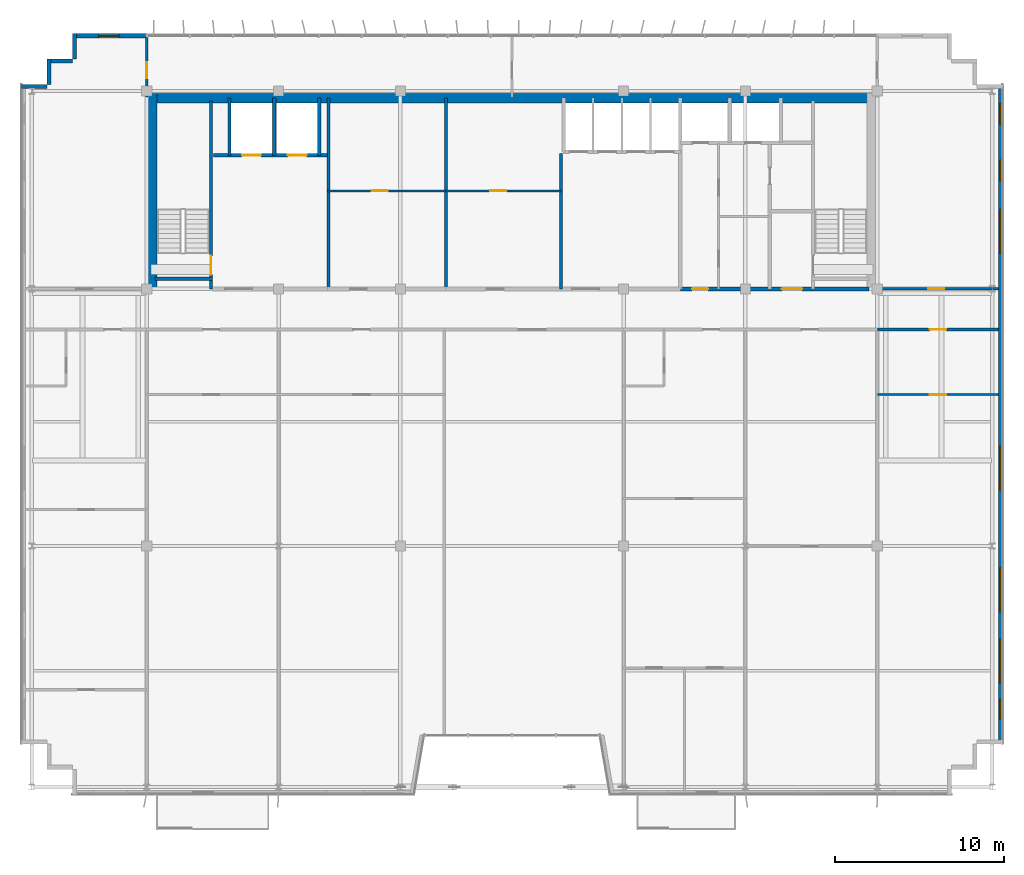
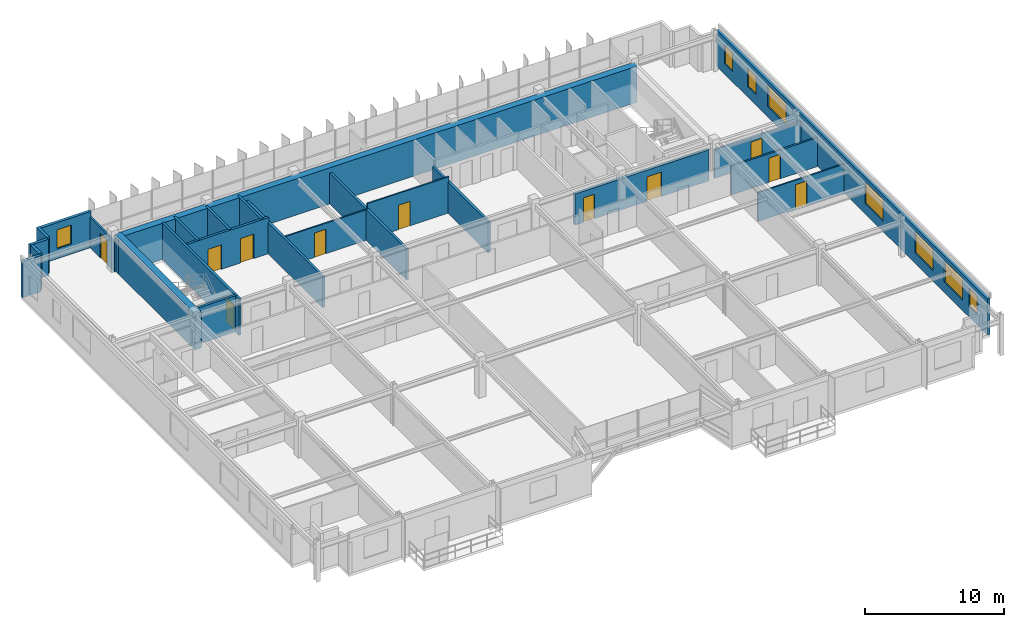
# One storey, part 23 of 26: 24 walls, 11 doors, 8 windows, 19 openings.
"""IFC4 building model written with IfcOpenShell, lengths in metres."""

from ifc_helpers import new_model, si_unit, direction, frame, frame_2d, origin, place, context, subcontext, project, spatial, rectangle, extrude, source, transform, mapped, material, layer, layer_set, type_object, element, fill, save


model = new_model("IFC4")

# Units and contexts
model_context = context("Model", 3, precision=1e-05, world=origin(), true_north=direction((0.0, 1.0)))
body_context = subcontext(model_context, "Body", "Model", "MODEL_VIEW")
ifc_project = project(units=[si_unit("LENGTHUNIT", "METRE"), si_unit("AREAUNIT", "SQUARE_METRE"), si_unit("VOLUMEUNIT", "CUBIC_METRE"), si_unit("PLANEANGLEUNIT", "RADIAN"), si_unit("MASSUNIT", "GRAM", prefix="KILO")], contexts=[model_context])

# Site, building, storey
site_placement = place(None, origin())
site = spatial("IfcSite", under=ifc_project, at=site_placement, CompositionType="ELEMENT")
building_placement = place(site_placement, origin())
building = spatial("IfcBuilding", under=site, at=building_placement, Name="Trelvane Seafront Commons", CompositionType="ELEMENT")
storey_placement = place(building_placement, frame((0.0, 0.0, 291.89990234375)))
storey = spatial("IfcBuildingStorey", under=building, at=storey_placement, Name="L76", CompositionType="ELEMENT", Elevation=291.89990234375)

# Wall, opening, window
ifc_material_1 = material(Name="Precast concrete C40/50", Category="concrete")
ifc_layer_1 = layer(ifc_material_1, 0.239990234375, Name="ARCH-WALL-EXT240")
ifc_layer_set_1 = layer_set([ifc_layer_1], Name="Precast concrete C40/50")
wall_type_1 = type_object("IfcWallType", Name="ARCH-WALL-EXT240", PredefinedType="SOLIDWALL", material=ifc_layer_set_1)
wall_1_placement = place(storey_placement, frame((11.300048828125, 48.3701171875, 0.0), z_axis=(0.0, 0.0, 1.0), x_axis=(1.0, 0.0, 0.0)))
wall_1 = element("IfcWall", 1, at=wall_1_placement, inside=storey, type_object=wall_type_1, Name="EW-L76-NW-1533", PredefinedType="SOLIDWALL", context=body_context, shape_type="SweptSolid", body=[
    extrude(rectangle(XDim=4.300048828125, YDim=0.239990234375, at=frame_2d((2.14990234375, 0.0))), origin(), (0.0, 0.0, 1.0), 3.18017578125),
])
opening_1_placement = place(wall_1_placement, frame((1.4599609375, 0.0, 0.89990234375)))
opening_1 = element("IfcOpeningElement", 2, at=opening_1_placement, cuts=wall_1, Name="Opening W05", PredefinedType="OPENING", context=body_context, shape_type="SweptSolid", body=[
    extrude(rectangle(XDim=1.199951171875, YDim=1.64990234375, at=frame_2d((0.60009765625, 0.824951171875))), frame((0.0, 0.1298828125, 0.0), z_axis=(0.0, -1.0, 0.0), x_axis=(1.0, 0.0, 0.0)), (0.0, 0.0, 1.0), 0.260009765625),
])
ifc_material_2 = material(Name="Low-E coastal double glazing", Category="glass")
window_type_1 = type_object("IfcWindowType", Name="ARCH-WIN-W05", PartitioningType="SINGLE_PANEL", PredefinedType="WINDOW", material=ifc_material_2)
shared_shape_1 = source(origin(), body_context, "Body", "SweptSolid", [
    extrude(rectangle(XDim=1.199951171875, YDim=1.64990234375, at=frame_2d((0.60009765625, 0.824951171875))), frame((0.0, 0.030029296875, 0.0), z_axis=(0.0, -1.0, 0.0), x_axis=(1.0, 0.0, 0.0)), (0.0, 0.0, 1.0), 0.06005859375),
])
window_1_placement = place(opening_1_placement, origin())
window_1 = element("IfcWindow", 3, at=window_1_placement, inside=storey, type_object=window_type_1, Name="WIN-L76-01817", OverallHeight=1.64990234375, OverallWidth=1.199951171875, PartitioningType="SINGLE_PANEL", PredefinedType="WINDOW", context=body_context, shape_type="MappedRepresentation", body=[
    mapped(shared_shape_1, transform((0.0, 0.0, 0.0), x_axis=(1.0, 0.0, 0.0), y_axis=(0.0, 1.0, 0.0), z_axis=(0.0, 0.0, 1.0), scale=1.0)),
])
fill(opening_1, window_1)

# Walls
for number, where, z_axis, x_axis, name in (
    (4, (8.199951171875, 45.3798828125, 0.0), (0.0, 0.0, 1.0), (1.0, 0.0, 0.0), "EW-L76-01539"),
    (5, (9.820068359375, 45.5, 0.0), (0.0, 0.0, 1.0), (0.0, 1.0, 0.0), "EW-L76-01540"),
    (6, (9.699951171875, 46.8798828125, 0.0), (0.0, 0.0, 1.0), (1.0, 0.0, 0.0), "EW-L76-01541"),
    (7, (11.320068359375, 47.0, 0.0), (0.0, 0.0, 1.0), (0.0, 1.0, 0.0), "EW-L76-01542"),
):
    element("IfcWall", number, at=place(storey_placement, frame(where, z_axis=z_axis, x_axis=x_axis)), inside=storey, type_object=wall_type_1, Name=name, PredefinedType="SOLIDWALL", context=body_context, shape_type="SweptSolid", body=[
        extrude(rectangle(XDim=1.5, YDim=0.239990234375, at=frame_2d((0.75, 0.0))), origin(), (0.0, 0.0, 1.0), 3.18017578125),
    ])

# Wall, openings, windows
wall_2_placement = place(storey_placement, frame((66.080078125, 45.5, 0.0), z_axis=(0.0, 0.0, 1.0), x_axis=(0.0, -1.0, 0.0)))
wall_2 = element("IfcWall", 8, at=wall_2_placement, inside=storey, type_object=wall_type_1, Name="EW-L76-01547", PredefinedType="SOLIDWALL", context=body_context, shape_type="SweptSolid", body=[
    extrude(rectangle(XDim=39.0, YDim=0.239990234375, at=frame_2d((19.5, 0.0))), origin(), (0.0, 0.0, 1.0), 3.18017578125),
])
opening_2_placement = place(wall_2_placement, frame((36.35009765625, 0.0, 0.919921875)))
opening_2 = element("IfcOpeningElement", 9, at=opening_2_placement, cuts=wall_2, Name="Opening W05", PredefinedType="OPENING", context=body_context, shape_type="SweptSolid", body=[
    extrude(rectangle(XDim=1.199951171875, YDim=1.64990234375, at=frame_2d((0.60009765625, 0.824951171875))), frame((0.0, 0.1298828125, 0.0), z_axis=(0.0, -1.0, 0.0), x_axis=(1.0, 0.0, 0.0)), (0.0, 0.0, 1.0), 0.260009765625),
])
opening_3_placement = place(wall_2_placement, frame((32.800048828125, 0.0, 0.919921875)))
opening_3 = element("IfcOpeningElement", 10, at=opening_3_placement, cuts=wall_2, Name="Opening W04", PredefinedType="OPENING", context=body_context, shape_type="SweptSolid", body=[
    extrude(rectangle(XDim=2.60009765625, YDim=1.89990234375, at=frame_2d((1.300048828125, 0.949951171875))), frame((0.0, 0.1298828125, 0.0), z_axis=(0.0, -1.0, 0.0), x_axis=(1.0, 0.0, 0.0)), (0.0, 0.0, 1.0), 0.260009765625),
])
opening_4_placement = place(wall_2_placement, frame((28.60009765625, 0.0, 0.919921875)))
opening_4 = element("IfcOpeningElement", 11, at=opening_4_placement, cuts=wall_2, Name="Opening W04", PredefinedType="OPENING", context=body_context, shape_type="SweptSolid", body=[
    extrude(rectangle(XDim=2.60009765625, YDim=1.89990234375, at=frame_2d((1.300048828125, 0.949951171875))), frame((0.0, 0.1298828125, 0.0), z_axis=(0.0, -1.0, 0.0), x_axis=(1.0, 0.0, 0.0)), (0.0, 0.0, 1.0), 0.260009765625),
])
opening_5_placement = place(wall_2_placement, frame((21.39990234375, 0.0, 0.919921875)))
opening_5 = element("IfcOpeningElement", 12, at=opening_5_placement, cuts=wall_2, Name="Opening W04", PredefinedType="OPENING", context=body_context, shape_type="SweptSolid", body=[
    extrude(rectangle(XDim=2.60009765625, YDim=1.89990234375, at=frame_2d((1.300048828125, 0.949951171875))), frame((0.0, 0.1298828125, 0.0), z_axis=(0.0, -1.0, 0.0), x_axis=(1.0, 0.0, 0.0)), (0.0, 0.0, 1.0), 0.260009765625),
])
opening_6_placement = place(wall_2_placement, frame((7.39990234375, 0.0, 0.919921875)))
opening_6 = element("IfcOpeningElement", 13, at=opening_6_placement, cuts=wall_2, Name="Opening W04", PredefinedType="OPENING", context=body_context, shape_type="SweptSolid", body=[
    extrude(rectangle(XDim=2.60009765625, YDim=1.89990234375, at=frame_2d((1.300048828125, 0.949951171875))), frame((0.0, 0.1298828125, 0.0), z_axis=(0.0, -1.0, 0.0), x_axis=(1.0, 0.0, 0.0)), (0.0, 0.0, 1.0), 0.260009765625),
])
opening_7_placement = place(wall_2_placement, frame((4.5, 0.0, 0.919921875)))
opening_7 = element("IfcOpeningElement", 14, at=opening_7_placement, cuts=wall_2, Name="Opening W05", PredefinedType="OPENING", context=body_context, shape_type="SweptSolid", body=[
    extrude(rectangle(XDim=1.199951171875, YDim=1.64990234375, at=frame_2d((0.60009765625, 0.824951171875))), frame((0.0, 0.1298828125, 0.0), z_axis=(0.0, -1.0, 0.0), x_axis=(1.0, 0.0, 0.0)), (0.0, 0.0, 1.0), 0.260009765625),
])
opening_8_placement = place(wall_2_placement, frame((1.14990234375, 0.0, 0.919921875)))
opening_8 = element("IfcOpeningElement", 15, at=opening_8_placement, cuts=wall_2, Name="Opening W05", PredefinedType="OPENING", context=body_context, shape_type="SweptSolid", body=[
    extrude(rectangle(XDim=1.199951171875, YDim=1.64990234375, at=frame_2d((0.60009765625, 0.824951171875))), frame((0.0, 0.1298828125, 0.0), z_axis=(0.0, -1.0, 0.0), x_axis=(1.0, 0.0, 0.0)), (0.0, 0.0, 1.0), 0.260009765625),
])
window_type_2 = type_object("IfcWindowType", Name="ARCH-WIN-W04", PartitioningType="SINGLE_PANEL", PredefinedType="WINDOW", material=ifc_material_2)
shared_shape_2 = source(origin(), body_context, "Body", "SweptSolid", [
    extrude(rectangle(XDim=2.60009765625, YDim=1.89990234375, at=frame_2d((1.300048828125, 0.949951171875))), frame((0.0, 0.030029296875, 0.0), z_axis=(0.0, -1.0, 0.0), x_axis=(1.0, 0.0, 0.0)), (0.0, 0.0, 1.0), 0.06005859375),
])
window_2_placement = place(opening_3_placement, origin())
window_2 = element("IfcWindow", 16, at=window_2_placement, inside=storey, type_object=window_type_2, Name="WIN-L76-EW-01827", OverallHeight=1.89990234375, OverallWidth=2.60009765625, PartitioningType="SINGLE_PANEL", PredefinedType="WINDOW", context=body_context, shape_type="MappedRepresentation", body=[
    mapped(shared_shape_2, transform((0.0, 0.0, 0.0), x_axis=(1.0, 0.0, 0.0), y_axis=(0.0, 1.0, 0.0), z_axis=(0.0, 0.0, 1.0), scale=1.0)),
])
fill(opening_3, window_2)
window_3_placement = place(opening_4_placement, origin())
window_3 = element("IfcWindow", 17, at=window_3_placement, inside=storey, type_object=window_type_2, Name="WIN-L76-EW-01828", OverallHeight=1.89990234375, OverallWidth=2.60009765625, PartitioningType="SINGLE_PANEL", PredefinedType="WINDOW", context=body_context, shape_type="MappedRepresentation", body=[
    mapped(shared_shape_2, transform((0.0, 0.0, 0.0), x_axis=(1.0, 0.0, 0.0), y_axis=(0.0, 1.0, 0.0), z_axis=(0.0, 0.0, 1.0), scale=1.0)),
])
fill(opening_4, window_3)
window_4_placement = place(opening_5_placement, origin())
window_4 = element("IfcWindow", 18, at=window_4_placement, inside=storey, type_object=window_type_2, Name="WIN-L76-EW-01829", OverallHeight=1.89990234375, OverallWidth=2.60009765625, PartitioningType="SINGLE_PANEL", PredefinedType="WINDOW", context=body_context, shape_type="MappedRepresentation", body=[
    mapped(shared_shape_2, transform((0.0, 0.0, 0.0), x_axis=(1.0, 0.0, 0.0), y_axis=(0.0, 1.0, 0.0), z_axis=(0.0, 0.0, 1.0), scale=1.0)),
])
fill(opening_5, window_4)
window_5_placement = place(opening_6_placement, origin())
window_5 = element("IfcWindow", 19, at=window_5_placement, inside=storey, type_object=window_type_2, Name="WIN-L76-EW-01830", OverallHeight=1.89990234375, OverallWidth=2.60009765625, PartitioningType="SINGLE_PANEL", PredefinedType="WINDOW", context=body_context, shape_type="MappedRepresentation", body=[
    mapped(shared_shape_2, transform((0.0, 0.0, 0.0), x_axis=(1.0, 0.0, 0.0), y_axis=(0.0, 1.0, 0.0), z_axis=(0.0, 0.0, 1.0), scale=1.0)),
])
fill(opening_6, window_5)
window_6_placement = place(opening_2_placement, origin())
window_6 = element("IfcWindow", 20, at=window_6_placement, inside=storey, type_object=window_type_1, Name="WIN-L76-EW-01826", OverallHeight=1.64990234375, OverallWidth=1.199951171875, PartitioningType="SINGLE_PANEL", PredefinedType="WINDOW", context=body_context, shape_type="MappedRepresentation", body=[
    mapped(shared_shape_1, transform((0.0, 0.0, 0.0), x_axis=(1.0, 0.0, 0.0), y_axis=(0.0, 1.0, 0.0), z_axis=(0.0, 0.0, 1.0), scale=1.0)),
])
fill(opening_2, window_6)
window_7_placement = place(opening_7_placement, origin())
window_7 = element("IfcWindow", 21, at=window_7_placement, inside=storey, type_object=window_type_1, Name="WIN-L76-EW-01831", OverallHeight=1.64990234375, OverallWidth=1.199951171875, PartitioningType="SINGLE_PANEL", PredefinedType="WINDOW", context=body_context, shape_type="MappedRepresentation", body=[
    mapped(shared_shape_1, transform((0.0, 0.0, 0.0), x_axis=(1.0, 0.0, 0.0), y_axis=(0.0, 1.0, 0.0), z_axis=(0.0, 0.0, 1.0), scale=1.0)),
])
fill(opening_7, window_7)
window_8_placement = place(opening_8_placement, origin())
window_8 = element("IfcWindow", 22, at=window_8_placement, inside=storey, type_object=window_type_1, Name="WIN-L76-EW-01832", OverallHeight=1.64990234375, OverallWidth=1.199951171875, PartitioningType="SINGLE_PANEL", PredefinedType="WINDOW", context=body_context, shape_type="MappedRepresentation", body=[
    mapped(shared_shape_1, transform((0.0, 0.0, 0.0), x_axis=(1.0, 0.0, 0.0), y_axis=(0.0, 1.0, 0.0), z_axis=(0.0, 0.0, 1.0), scale=1.0)),
])
fill(opening_8, window_8)

# Wall, openings, doors
ifc_material_3 = material(Name="Concrete C40/50", Category="concrete")
ifc_layer_2 = layer(ifc_material_3, 0.25, Name="ARCH-WALL-FIRE250")
ifc_layer_set_2 = layer_set([ifc_layer_2], Name="Concrete C40/50")
wall_type_2 = type_object("IfcWallType", Name="ARCH-WALL-FIRE250", PredefinedType="PARTITIONING", material=ifc_layer_set_2)
wall_3_placement = place(storey_placement, frame((47.14990234375, 33.39990234375, 0.0), z_axis=(0.0, 0.0, 1.0), x_axis=(1.0, 0.0, 0.0)))
wall_3 = element("IfcWall", 23, at=wall_3_placement, inside=storey, type_object=wall_type_2, Name="W-L76-CS-EAST-034", PredefinedType="PARTITIONING", context=body_context, shape_type="SweptSolid", body=[
    extrude(rectangle(XDim=11.150146484375, YDim=0.25, at=frame_2d((5.5751953125, 0.0))), origin(), (0.0, 0.0, 1.0), 2.72998046875),
])
opening_9_placement = place(wall_3_placement, frame((0.699951171875, 0.0, 0.0)))
opening_9 = element("IfcOpeningElement", 24, at=opening_9_placement, cuts=wall_3, Name="Opening FD-L76-20", PredefinedType="OPENING", context=body_context, shape_type="SweptSolid", body=[
    extrude(rectangle(XDim=0.949951171875, YDim=2.14990234375, at=frame_2d((0.47509765625, 1.074951171875))), frame((0.0, 0.135009765625, 0.0), z_axis=(0.0, -1.0, 0.0), x_axis=(1.0, 0.0, 0.0)), (0.0, 0.0, 1.0), 0.27001953125),
])
opening_10_placement = place(wall_3_placement, frame((6.0, 0.0, 0.0)))
opening_10 = element("IfcOpeningElement", 25, at=opening_10_placement, cuts=wall_3, Name="Opening FD-L76-21", PredefinedType="OPENING", context=body_context, shape_type="SweptSolid", body=[
    extrude(rectangle(XDim=1.199951171875, YDim=2.14990234375, at=frame_2d((0.60009765625, 1.074951171875))), frame((0.0, 0.135009765625, 0.0), z_axis=(0.0, -1.0, 0.0), x_axis=(1.0, 0.0, 0.0)), (0.0, 0.0, 1.0), 0.27001953125),
])
ifc_material_4 = material(Name="Powder-coated aluminium frame", Category="aluminium")
door_type_1 = type_object("IfcDoorType", Name="ARCH-DR-FD60-950", OperationType="NOTDEFINED", PredefinedType="DOOR", material=ifc_material_4)
shared_shape_3 = source(origin(), body_context, "Body", "SweptSolid", [
    extrude(rectangle(XDim=0.949951171875, YDim=2.14990234375, at=frame_2d((0.47509765625, 1.074951171875))), frame((0.0, 0.02490234375, 0.0), z_axis=(0.0, -1.0, 0.0), x_axis=(1.0, 0.0, 0.0)), (0.0, 0.0, 1.0), 0.050048828125),
])
door_1_placement = place(opening_9_placement, origin())
door_1 = element("IfcDoor", 26, at=door_1_placement, inside=storey, type_object=door_type_1, Name="L76 Core Service Lobby Door", OperationType="SINGLE_SWING_RIGHT", OverallHeight=2.14990234375, OverallWidth=0.949951171875, PredefinedType="DOOR", context=body_context, shape_type="MappedRepresentation", body=[
    mapped(shared_shape_3, transform((0.0, 0.0, 0.0), x_axis=(1.0, 0.0, 0.0), y_axis=(0.0, 1.0, 0.0), z_axis=(0.0, 0.0, 1.0), scale=1.0)),
])
fill(opening_9, door_1)
door_type_2 = type_object("IfcDoorType", Name="ARCH-DR-FD60-1200", OperationType="NOTDEFINED", PredefinedType="DOOR", material=ifc_material_4)
shared_shape_4 = source(origin(), body_context, "Body", "SweptSolid", [
    extrude(rectangle(XDim=1.199951171875, YDim=2.14990234375, at=frame_2d((0.60009765625, 1.074951171875))), frame((0.0, 0.02490234375, 0.0), z_axis=(0.0, -1.0, 0.0), x_axis=(1.0, 0.0, 0.0)), (0.0, 0.0, 1.0), 0.050048828125),
])
door_2_placement = place(opening_10_placement, origin())
door_2 = element("IfcDoor", 27, at=door_2_placement, inside=storey, type_object=door_type_2, Name="L76 East Stair Vestibule Fire Door", OperationType="SINGLE_SWING_LEFT", OverallHeight=2.14990234375, OverallWidth=1.199951171875, PredefinedType="DOOR", context=body_context, shape_type="MappedRepresentation", body=[
    mapped(shared_shape_4, transform((0.0, 0.0, 0.0), x_axis=(1.0, 0.0, 0.0), y_axis=(0.0, 1.0, 0.0), z_axis=(0.0, 0.0, 1.0), scale=1.0)),
])
fill(opening_10, door_2)

# Wall, opening, door
ifc_material_5 = material(Name="Gypsum Drywall Acoustic Partition")
ifc_layer_3 = layer(ifc_material_5, 0.1201171875, Name="ARCH-WALL-PART120")
ifc_layer_set_3 = layer_set([ifc_layer_3], Name="Gypsum Drywall Acoustic Partition")
wall_type_3 = type_object("IfcWallType", Name="ARCH-WALL-PART120", PredefinedType="PARTITIONING", material=ifc_layer_set_3)
wall_4_placement = place(storey_placement, frame((26.300048828125, 39.199951171875, 0.0), z_axis=(0.0, 0.0, 1.0), x_axis=(1.0, 0.0, 0.0)))
wall_4 = element("IfcWall", 28, at=wall_4_placement, inside=storey, type_object=wall_type_3, Name="W-L76-FREED-PL-MID-014", PredefinedType="PARTITIONING", context=body_context, shape_type="SweptSolid", body=[
    extrude(rectangle(XDim=7.0, YDim=0.1201171875, at=frame_2d((3.5, 0.0))), origin(), (0.0, 0.0, 1.0), 2.68017578125),
])
opening_11_placement = place(wall_4_placement, frame((2.60009765625, 0.0, 0.0)))
opening_11 = element("IfcOpeningElement", 29, at=opening_11_placement, cuts=wall_4, Name="Opening D-L76-06", PredefinedType="OPENING", context=body_context, shape_type="SweptSolid", body=[
    extrude(rectangle(XDim=0.949951171875, YDim=2.14990234375, at=frame_2d((0.47509765625, 1.074951171875))), frame((0.0, 0.070068359375, 0.0), z_axis=(0.0, -1.0, 0.0), x_axis=(1.0, 0.0, 0.0)), (0.0, 0.0, 1.0), 0.14013671875),
])
ifc_material_6 = material(Name="Acoustic timber door leaf", Category="wood")
door_type_3 = type_object("IfcDoorType", Name="ARCH-DR-INT950", OperationType="NOTDEFINED", PredefinedType="DOOR", material=ifc_material_6)
door_3_placement = place(opening_11_placement, origin())
door_3 = element("IfcDoor", 30, at=door_3_placement, inside=storey, type_object=door_type_3, Name="L76 Housekeeping Store Door", OperationType="SINGLE_SWING_RIGHT", OverallHeight=2.14990234375, OverallWidth=0.949951171875, PredefinedType="DOOR", context=body_context, shape_type="MappedRepresentation", body=[
    mapped(shared_shape_3, transform((0.0, 0.0, 0.0), x_axis=(1.0, 0.0, 0.0), y_axis=(0.0, 1.0, 0.0), z_axis=(0.0, 0.0, 1.0), scale=1.0)),
])
fill(opening_11, door_3)

wall_5_placement = place(storey_placement, frame((33.300048828125, 39.199951171875, 0.0), z_axis=(0.0, 0.0, 1.0), x_axis=(1.0, 0.0, 0.0)))
wall_5 = element("IfcWall", 31, at=wall_5_placement, inside=storey, type_object=wall_type_3, Name="W-L76-FREED-PM-MID-016", PredefinedType="PARTITIONING", context=body_context, shape_type="SweptSolid", body=[
    extrude(rectangle(XDim=6.800048828125, YDim=0.1201171875, at=frame_2d((3.39990234375, 0.0))), origin(), (0.0, 0.0, 1.0), 3.18017578125),
])
opening_12_placement = place(wall_5_placement, frame((2.60009765625, 0.0, 0.0)))
opening_12 = element("IfcOpeningElement", 32, at=opening_12_placement, cuts=wall_5, Name="Opening D-L76-07", PredefinedType="OPENING", context=body_context, shape_type="SweptSolid", body=[
    extrude(rectangle(XDim=0.949951171875, YDim=2.14990234375, at=frame_2d((0.47509765625, 1.074951171875))), frame((0.0, 0.070068359375, 0.0), z_axis=(0.0, -1.0, 0.0), x_axis=(1.0, 0.0, 0.0)), (0.0, 0.0, 1.0), 0.14013671875),
])
door_4_placement = place(opening_12_placement, origin())
door_4 = element("IfcDoor", 33, at=door_4_placement, inside=storey, type_object=door_type_3, Name="L76 IT Comms Room Door", OperationType="SINGLE_SWING_LEFT", OverallHeight=2.14990234375, OverallWidth=0.949951171875, PredefinedType="DOOR", context=body_context, shape_type="MappedRepresentation", body=[
    mapped(shared_shape_3, transform((0.0, 0.0, 0.0), x_axis=(1.0, 0.0, 0.0), y_axis=(0.0, 1.0, 0.0), z_axis=(0.0, 0.0, 1.0), scale=1.0)),
])
fill(opening_12, door_4)

wall_6_placement = place(storey_placement, frame((58.800048828125, 27.14990234375, 0.0), z_axis=(0.0, 0.0, 1.0), x_axis=(1.0, 0.0, 0.0)))
wall_6 = element("IfcWall", 34, at=wall_6_placement, inside=storey, type_object=wall_type_3, Name="W-L76-U7-DIV-066", PredefinedType="PARTITIONING", context=body_context, shape_type="SweptSolid", body=[
    extrude(rectangle(XDim=7.175048828125, YDim=0.1201171875, at=frame_2d((3.58740234375, 0.0))), origin(), (0.0, 0.0, 1.0), 2.530029296875),
])
opening_13_placement = place(wall_6_placement, frame((3.112060546875, 0.0, 0.0)))
opening_13 = element("IfcOpeningElement", 35, at=opening_13_placement, cuts=wall_6, Name="Opening D-L76-44", PredefinedType="OPENING", context=body_context, shape_type="SweptSolid", body=[
    extrude(rectangle(XDim=0.949951171875, YDim=2.14990234375, at=frame_2d((0.47509765625, 1.074951171875))), frame((0.0, 0.070068359375, 0.0), z_axis=(0.0, -1.0, 0.0), x_axis=(1.0, 0.0, 0.0)), (0.0, 0.0, 1.0), 0.14013671875),
])
door_5_placement = place(opening_13_placement, origin())
door_5 = element("IfcDoor", 36, at=door_5_placement, inside=storey, type_object=door_type_3, Name="L76 Door 44", OperationType="SINGLE_SWING_RIGHT", OverallHeight=2.14990234375, OverallWidth=0.949951171875, PredefinedType="DOOR", context=body_context, shape_type="MappedRepresentation", body=[
    mapped(shared_shape_3, transform((0.0, 0.0, 0.0), x_axis=(1.0, 0.0, 0.0), y_axis=(0.0, 1.0, 0.0), z_axis=(0.0, 0.0, 1.0), scale=1.0)),
])
fill(opening_13, door_5)

ifc_layer_4 = layer(ifc_material_5, 0.14990234375, Name="ARCH-WALL-PART150")
ifc_layer_set_4 = layer_set([ifc_layer_4], Name="Gypsum Drywall Acoustic Partition")
wall_type_4 = type_object("IfcWallType", Name="ARCH-WALL-PART150", PredefinedType="PARTITIONING", material=ifc_layer_set_4)
wall_7_placement = place(storey_placement, frame((58.800048828125, 33.39990234375, 0.0), z_axis=(0.0, 0.0, 1.0), x_axis=(1.0, 0.0, 0.0)))
wall_7 = element("IfcWall", 37, at=wall_7_placement, inside=storey, type_object=wall_type_4, Name="W-L76-NE-ENT-036", PredefinedType="PARTITIONING", context=body_context, shape_type="SweptSolid", body=[
    extrude(rectangle(XDim=7.14990234375, YDim=0.14990234375, at=frame_2d((3.574951171875, 0.0))), origin(), (0.0, 0.0, 1.0), 2.530029296875),
])
opening_14_placement = place(wall_7_placement, frame((3.0, 0.0, 0.0)))
opening_14 = element("IfcOpeningElement", 38, at=opening_14_placement, cuts=wall_7, Name="Opening FD-L76-23", PredefinedType="OPENING", context=body_context, shape_type="SweptSolid", body=[
    extrude(rectangle(XDim=0.949951171875, YDim=2.14990234375, at=frame_2d((0.47509765625, 1.074951171875))), frame((0.0, 0.0849609375, 0.0), z_axis=(0.0, -1.0, 0.0), x_axis=(1.0, 0.0, 0.0)), (0.0, 0.0, 1.0), 0.169921875),
])
door_6_placement = place(opening_14_placement, origin())
door_6 = element("IfcDoor", 39, at=door_6_placement, inside=storey, type_object=door_type_1, Name="L76 NE Suite Entrance Door", OperationType="SINGLE_SWING_LEFT", OverallHeight=2.14990234375, OverallWidth=0.949951171875, PredefinedType="DOOR", context=body_context, shape_type="MappedRepresentation", body=[
    mapped(shared_shape_3, transform((0.0, 0.0, 0.0), x_axis=(1.0, 0.0, 0.0), y_axis=(0.0, 1.0, 0.0), z_axis=(0.0, 0.0, 1.0), scale=1.0)),
])
fill(opening_14, door_6)

wall_8_placement = place(storey_placement, frame((15.60009765625, 44.75, 0.0), z_axis=(0.0, 0.0, 1.0), x_axis=(0.0, 1.0, 0.0)))
wall_8 = element("IfcWall", 40, at=wall_8_placement, inside=storey, type_object=wall_type_4, Name="W-L76-N-LINK-W-038", PredefinedType="PARTITIONING", context=body_context, shape_type="SweptSolid", body=[
    extrude(rectangle(XDim=3.610107421875, YDim=0.14990234375, at=frame_2d((1.80517578125, 0.0))), origin(), (0.0, 0.0, 1.0), 2.68017578125),
])
opening_15_placement = place(wall_8_placement, frame((1.10009765625, 0.0, 0.0)))
opening_15 = element("IfcOpeningElement", 41, at=opening_15_placement, cuts=wall_8, Name="Opening FD-L76-25", PredefinedType="OPENING", context=body_context, shape_type="SweptSolid", body=[
    extrude(rectangle(XDim=0.949951171875, YDim=2.14990234375, at=frame_2d((0.47509765625, 1.074951171875))), frame((0.0, 0.0849609375, 0.0), z_axis=(0.0, -1.0, 0.0), x_axis=(1.0, 0.0, 0.0)), (0.0, 0.0, 1.0), 0.169921875),
])
door_7_placement = place(opening_15_placement, origin())
door_7 = element("IfcDoor", 42, at=door_7_placement, inside=storey, type_object=door_type_1, Name="L76 Door 25", OperationType="SINGLE_SWING_LEFT", OverallHeight=2.14990234375, OverallWidth=0.949951171875, PredefinedType="DOOR", context=body_context, shape_type="MappedRepresentation", body=[
    mapped(shared_shape_3, transform((0.0, 0.0, 0.0), x_axis=(1.0, 0.0, 0.0), y_axis=(0.0, 1.0, 0.0), z_axis=(0.0, 0.0, 1.0), scale=1.0)),
])
fill(opening_15, door_7)

wall_9_placement = place(storey_placement, frame((58.800048828125, 31.0, 0.0), z_axis=(0.0, 0.0, 1.0), x_axis=(1.0, 0.0, 0.0)))
wall_9 = element("IfcWall", 43, at=wall_9_placement, inside=storey, type_object=wall_type_4, Name="W-L76-CS-BAY-7-065", PredefinedType="PARTITIONING", context=body_context, shape_type="SweptSolid", body=[
    extrude(rectangle(XDim=7.175048828125, YDim=0.14990234375, at=frame_2d((3.58740234375, 0.0))), origin(), (0.0, 0.0, 1.0), 2.530029296875),
])
opening_16_placement = place(wall_9_placement, frame((3.112060546875, 0.0, 0.0)))
opening_16 = element("IfcOpeningElement", 44, at=opening_16_placement, cuts=wall_9, Name="Opening FD-L76-43", PredefinedType="OPENING", context=body_context, shape_type="SweptSolid", body=[
    extrude(rectangle(XDim=0.949951171875, YDim=2.14990234375, at=frame_2d((0.47509765625, 1.074951171875))), frame((0.0, 0.0849609375, 0.0), z_axis=(0.0, -1.0, 0.0), x_axis=(1.0, 0.0, 0.0)), (0.0, 0.0, 1.0), 0.169921875),
])
door_8_placement = place(opening_16_placement, origin())
door_8 = element("IfcDoor", 45, at=door_8_placement, inside=storey, type_object=door_type_1, Name="L76 Bay 07 Entrance Door", OperationType="SINGLE_SWING_LEFT", OverallHeight=2.14990234375, OverallWidth=0.949951171875, PredefinedType="DOOR", context=body_context, shape_type="MappedRepresentation", body=[
    mapped(shared_shape_3, transform((0.0, 0.0, 0.0), x_axis=(1.0, 0.0, 0.0), y_axis=(0.0, 1.0, 0.0), z_axis=(0.0, 0.0, 1.0), scale=1.0)),
])
fill(opening_16, door_8)

# Wall, openings, doors
ifc_layer_5 = layer(ifc_material_3, 0.199951171875, Name="ARCH-WALL-SHAFT200")
ifc_layer_set_5 = layer_set([ifc_layer_5], Name="Concrete C40/50")
wall_type_5 = type_object("IfcWallType", Name="ARCH-WALL-SHAFT200", PredefinedType="SOLIDWALL", material=ifc_layer_set_5)
wall_10_placement = place(storey_placement, frame((19.550048828125, 41.300048828125, 0.0), z_axis=(0.0, 0.0, 1.0), x_axis=(1.0, 0.0, 0.0)))
wall_10 = element("IfcWall", 46, at=wall_10_placement, inside=storey, type_object=wall_type_5, Name="W-L76-FFL-FRONT-008", PredefinedType="SOLIDWALL", context=body_context, shape_type="SweptSolid", body=[
    extrude(rectangle(XDim=6.75, YDim=0.199951171875, at=frame_2d((3.375, 0.0))), origin(), (0.0, 0.0, 1.0), 3.18017578125),
])
opening_17_placement = place(wall_10_placement, frame((1.699951171875, 0.0, 0.0)))
opening_17 = element("IfcOpeningElement", 47, at=opening_17_placement, cuts=wall_10, Name="Opening LD-FF1-L76", PredefinedType="OPENING", context=body_context, shape_type="SweptSolid", body=[
    extrude(rectangle(XDim=1.10009765625, YDim=2.14990234375, at=frame_2d((0.550048828125, 1.074951171875))), frame((0.0, 0.10986328125, 0.0), z_axis=(0.0, -1.0, 0.0), x_axis=(1.0, 0.0, 0.0)), (0.0, 0.0, 1.0), 0.219970703125),
])
opening_18_placement = place(wall_10_placement, frame((4.39990234375, 0.0, 0.0)))
opening_18 = element("IfcOpeningElement", 48, at=opening_18_placement, cuts=wall_10, Name="Opening LD-FF2-L76", PredefinedType="OPENING", context=body_context, shape_type="SweptSolid", body=[
    extrude(rectangle(XDim=1.10009765625, YDim=2.14990234375, at=frame_2d((0.550048828125, 1.074951171875))), frame((0.0, 0.10986328125, 0.0), z_axis=(0.0, -1.0, 0.0), x_axis=(1.0, 0.0, 0.0)), (0.0, 0.0, 1.0), 0.219970703125),
])
ifc_material_7 = material(Name="Stainless steel balustrade", Category="steel")
door_type_4 = type_object("IfcDoorType", Name="ARCH-DR-LD1100", OperationType="DOUBLE_DOOR_SLIDING", PredefinedType="DOOR", material=ifc_material_7)
shared_shape_5 = source(origin(), body_context, "Body", "SweptSolid", [
    extrude(rectangle(XDim=1.10009765625, YDim=2.14990234375, at=frame_2d((0.550048828125, 1.074951171875))), frame((0.0, 0.02490234375, 0.0), z_axis=(0.0, -1.0, 0.0), x_axis=(1.0, 0.0, 0.0)), (0.0, 0.0, 1.0), 0.050048828125),
])
door_9_placement = place(opening_17_placement, origin())
door_9 = element("IfcDoor", 49, at=door_9_placement, inside=storey, type_object=door_type_4, Name="L76 Firefighting Lift FFL-1 Landing Door", OperationType="DOUBLE_DOOR_SLIDING", OverallHeight=2.14990234375, OverallWidth=1.10009765625, PredefinedType="DOOR", context=body_context, shape_type="MappedRepresentation", body=[
    mapped(shared_shape_5, transform((0.0, 0.0, 0.0), x_axis=(1.0, 0.0, 0.0), y_axis=(0.0, 1.0, 0.0), z_axis=(0.0, 0.0, 1.0), scale=1.0)),
])
fill(opening_17, door_9)
door_10_placement = place(opening_18_placement, origin())
door_10 = element("IfcDoor", 50, at=door_10_placement, inside=storey, type_object=door_type_4, Name="L76 Firefighting Lift FFL-2 Landing Door", OperationType="DOUBLE_DOOR_SLIDING", OverallHeight=2.14990234375, OverallWidth=1.10009765625, PredefinedType="DOOR", context=body_context, shape_type="MappedRepresentation", body=[
    mapped(shared_shape_5, transform((0.0, 0.0, 0.0), x_axis=(1.0, 0.0, 0.0), y_axis=(0.0, 1.0, 0.0), z_axis=(0.0, 0.0, 1.0), scale=1.0)),
])
fill(opening_18, door_10)

# Walls
for number, where, z_axis, x_axis, name in (
    (51, (20.5, 41.300048828125, 0.0), (0.0, 0.0, 1.0), (0.0, 1.0, 0.0), "W-L76-FFL-SH-W-009"),
    (52, (23.14990234375, 41.300048828125, 0.0), (0.0, 0.0, 1.0), (0.0, 1.0, 0.0), "W-L76-FFL-DIV-010"),
    (53, (25.800048828125, 41.300048828125, 0.0), (0.0, 0.0, 1.0), (0.0, 1.0, 0.0), "W-L76-FFL-SH-E-011"),
):
    element("IfcWall", number, at=place(storey_placement, frame(where, z_axis=z_axis, x_axis=x_axis)), inside=storey, type_object=wall_type_5, Name=name, PredefinedType="SOLIDWALL", context=body_context, shape_type="SweptSolid", body=[
        extrude(rectangle(XDim=3.39990234375, YDim=0.199951171875, at=frame_2d((1.699951171875, 0.0))), origin(), (0.0, 0.0, 1.0), 3.18017578125),
    ])
for number, where, z_axis, x_axis, name in (
    (54, (26.35009765625, 33.39990234375, 0.0), (0.0, 0.0, 1.0), (0.0, 1.0, 0.0), "W-L76-FFL-EAST-012"),
    (55, (33.300048828125, 33.39990234375, 0.0), (0.0, 0.0, 1.0), (0.0, 1.0, 0.0), "W-L76-FREED-PL-E-015"),
):
    element("IfcWall", number, at=place(storey_placement, frame(where, z_axis=z_axis, x_axis=x_axis)), inside=storey, type_object=wall_type_5, Name=name, PredefinedType="SOLIDWALL", context=body_context, shape_type="SweptSolid", body=[
        extrude(rectangle(XDim=11.300048828125, YDim=0.199951171875, at=frame_2d((5.64990234375, 0.0))), origin(), (0.0, 0.0, 1.0), 2.72998046875),
    ])
wall_11_placement = place(storey_placement, frame((40.10009765625, 33.39990234375, 0.0), z_axis=(0.0, 0.0, 1.0), x_axis=(0.0, 1.0, 0.0)))
element("IfcWall", 56, at=wall_11_placement, inside=storey, type_object=wall_type_5, Name="W-L76-FREED-PM-E-017", PredefinedType="SOLIDWALL", context=body_context, shape_type="SweptSolid", body=[
    extrude(rectangle(XDim=8.0, YDim=0.199951171875, at=frame_2d((4.0, 0.0))), origin(), (0.0, 0.0, 1.0), 2.72998046875),
])
ifc_material_8 = material(Name="Concrete C50/60", Category="concrete")
ifc_layer_6 = layer(ifc_material_8, 0.550048828125, Name="STR-WALL-CORE550")
ifc_layer_set_6 = layer_set([ifc_layer_6], Name="Concrete C50/60")
wall_type_6 = type_object("IfcWallType", Name="STR-WALL-CORE550", PredefinedType="SHEAR", material=ifc_layer_set_6)
wall_12_placement = place(storey_placement, frame((15.64990234375, 44.675048828125, 0.0), z_axis=(0.0, 0.0, 1.0), x_axis=(1.0, 0.0, 0.0)))
element("IfcWall", 57, at=wall_12_placement, inside=storey, type_object=wall_type_6, Name="W-L76-CN-ALL-001", PredefinedType="SHEAR", context=body_context, shape_type="SweptSolid", body=[
    extrude(rectangle(XDim=43.10009765625, YDim=0.550048828125, at=frame_2d((21.550048828125, 0.0))), origin(), (0.0, 0.0, 1.0), 3.18017578125),
])
wall_13_placement = place(storey_placement, frame((15.925048828125, 33.39990234375, 0.0), z_axis=(0.0, 0.0, 1.0), x_axis=(0.0, 1.0, 0.0)))
element("IfcWall", 58, at=wall_13_placement, inside=storey, type_object=wall_type_6, Name="W-L76-CW-END-002", PredefinedType="SHEAR", context=body_context, shape_type="SweptSolid", body=[
    extrude(rectangle(XDim=11.550048828125, YDim=0.550048828125, at=frame_2d((5.77490234375, 0.0))), origin(), (0.0, 0.0, 1.0), 3.18017578125),
])
ifc_layer_7 = layer(ifc_material_8, 0.199951171875, Name="STR-WALL-STAIR200")
ifc_layer_set_7 = layer_set([ifc_layer_7], Name="Concrete C50/60")
wall_type_7 = type_object("IfcWallType", Name="STR-WALL-STAIR200", PredefinedType="SHEAR", material=ifc_layer_set_7)
wall_14_placement = place(storey_placement, frame((16.10009765625, 34.0, 0.0), z_axis=(0.0, 0.0, 1.0), x_axis=(1.0, 0.0, 0.0)))
element("IfcWall", 59, at=wall_14_placement, inside=storey, type_object=wall_type_7, Name="W-L76-ST1-S-004", PredefinedType="SHEAR", context=body_context, shape_type="SweptSolid", body=[
    extrude(rectangle(XDim=3.39990234375, YDim=0.199951171875, at=frame_2d((1.699951171875, 0.0))), origin(), (0.0, 0.0, 1.0), 3.18017578125),
])

# Wall, opening, door
wall_15_placement = place(storey_placement, frame((19.39990234375, 33.39990234375, 0.0), z_axis=(0.0, 0.0, 1.0), x_axis=(0.0, 1.0, 0.0)))
wall_15 = element("IfcWall", 60, at=wall_15_placement, inside=storey, type_object=wall_type_7, Name="W-L76-ST1-E-005", PredefinedType="SHEAR", context=body_context, shape_type="SweptSolid", body=[
    extrude(rectangle(XDim=11.10009765625, YDim=0.199951171875, at=frame_2d((5.550048828125, 0.0))), origin(), (0.0, 0.0, 1.0), 3.18017578125),
])
opening_19_placement = place(wall_15_placement, frame((0.85009765625, 0.0, 0.0)))
opening_19 = element("IfcOpeningElement", 61, at=opening_19_placement, cuts=wall_15, Name="Opening ST-D1-L76", PredefinedType="OPENING", context=body_context, shape_type="SweptSolid", body=[
    extrude(rectangle(XDim=1.10009765625, YDim=2.14990234375, at=frame_2d((0.550048828125, 1.074951171875))), frame((0.0, 0.10986328125, 0.0), z_axis=(0.0, -1.0, 0.0), x_axis=(1.0, 0.0, 0.0)), (0.0, 0.0, 1.0), 0.219970703125),
])
door_type_5 = type_object("IfcDoorType", Name="ARCH-DR-FD90-1100", OperationType="NOTDEFINED", PredefinedType="DOOR", material=ifc_material_4)
door_11_placement = place(opening_19_placement, origin())
door_11 = element("IfcDoor", 62, at=door_11_placement, inside=storey, type_object=door_type_5, Name="L76 Stair ST-1 Lobby Fire Door", OperationType="SINGLE_SWING_LEFT", OverallHeight=2.14990234375, OverallWidth=1.10009765625, PredefinedType="DOOR", context=body_context, shape_type="MappedRepresentation", body=[
    mapped(shared_shape_5, transform((0.0, 0.0, 0.0), x_axis=(1.0, 0.0, 0.0), y_axis=(0.0, 1.0, 0.0), z_axis=(0.0, 0.0, 1.0), scale=1.0)),
])
fill(opening_19, door_11)

save(model, "model.ifc")
